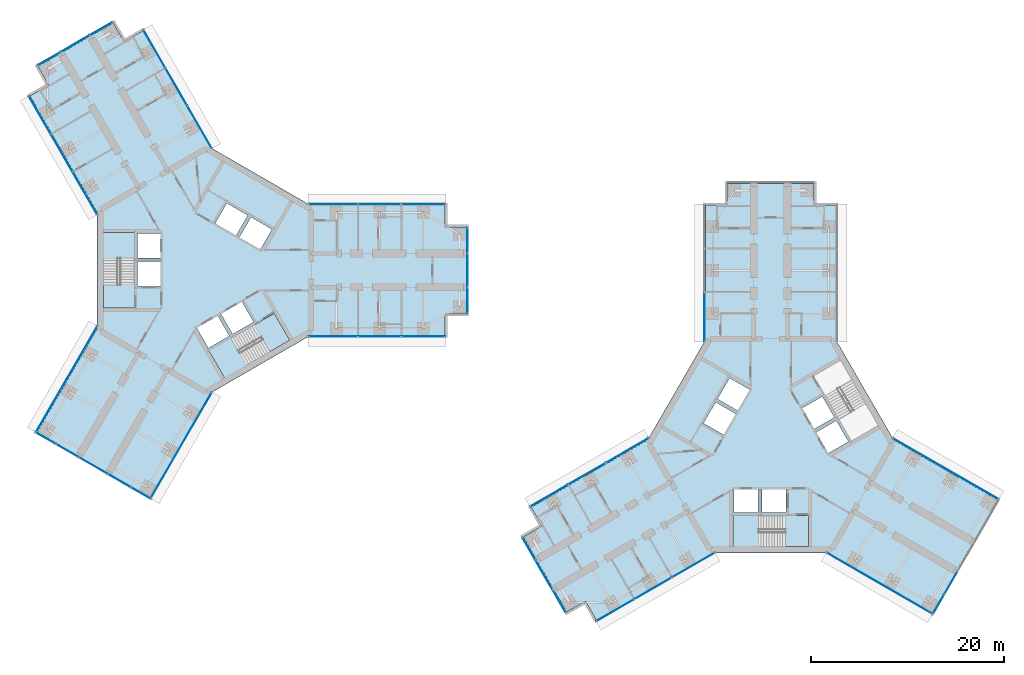
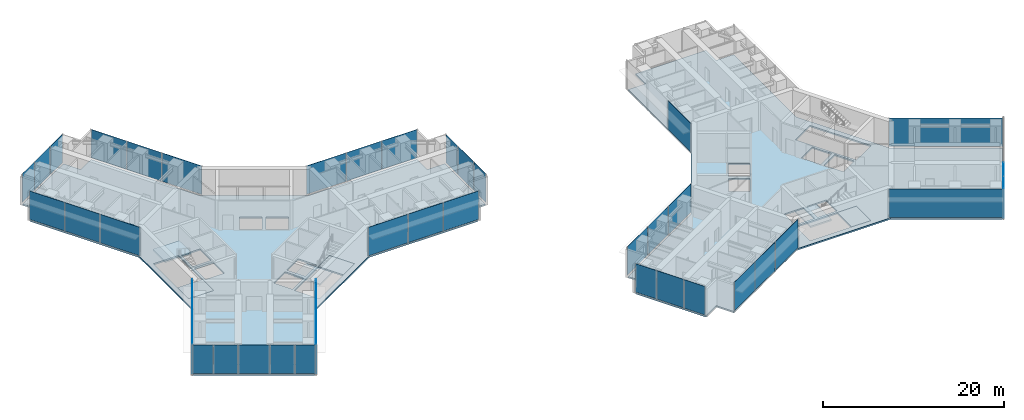
# One storey, part 13 of 22: 39 plates, 8 slabs, 19 elements without a shape of their own.
"""IFC4 building model written with IfcOpenShell, lengths in metres."""

from ifc_helpers import new_model, si_unit, direction, frame, origin, origin_2d, place, context, subcontext, project, spatial, polyline, rectangle, outline, extrude, material, layer, layer_set, type_object, element, aggregate, save


model = new_model("IFC4")

# Units and contexts
model_context = context("Model", 3, precision=1e-05, world=origin(), true_north=direction((0.0, 1.0)))
body_context = subcontext(model_context, "Body", "Model", "MODEL_VIEW")
ifc_project = project(units=[si_unit("LENGTHUNIT", "METRE"), si_unit("AREAUNIT", "SQUARE_METRE"), si_unit("VOLUMEUNIT", "CUBIC_METRE"), si_unit("PLANEANGLEUNIT", "RADIAN"), si_unit("MASSUNIT", "GRAM", prefix="KILO")], contexts=[model_context])

# Site, building, storey
site_placement = place(None, origin())
site = spatial("IfcSite", under=ifc_project, at=site_placement, CompositionType="ELEMENT")
building_placement = place(site_placement, origin())
building = spatial("IfcBuilding", under=site, at=building_placement, Name="Upepo Twin Towers", CompositionType="ELEMENT")
storey_placement = place(building_placement, frame((0.0, 0.0, 141.5)))
storey = spatial("IfcBuildingStorey", under=building, at=storey_placement, Name="L34", CompositionType="ELEMENT", Elevation=141.5)

# Curtain wall, plates
ifc_material_1 = material(Name="Aluminium and fritted glass", Category="aluminium")
curtain_wall_type = type_object("IfcCurtainWallType", Name="Tower curtain wall TW2, fritted glass", PredefinedType="NOTDEFINED", material=ifc_material_1)
curtain_wall_1_placement = place(storey_placement, origin())
curtain_wall_1 = element("IfcCurtainWall", 1, at=curtain_wall_1_placement, inside=storey, type_object=curtain_wall_type, Name="T1 L34 wing A flank L curtain wall", PredefinedType="NOTDEFINED")
ifc_material_2 = material(Name="Ceramic-fritted laminated glass", Category="glass")
ifc_layer_1 = layer(ifc_material_2, 0.031982421875)
ifc_layer_set_1 = layer_set([ifc_layer_1], Name="Fritted glass panel, 40 per cent dot frit, 32 mm double glazed")
plate_type_1 = type_object("IfcPlateType", Name="Fritted glass panel, 40 per cent dot frit, 32 mm double glazed", PredefinedType="CURTAIN_PANEL", material=ifc_layer_set_1)
plate_1_placement = place(storey_placement, frame((13.184814453125, 6.85009765625, 0.14990234375), z_axis=(0.0, 0.0, 1.0), x_axis=(1.0, 0.0, 0.0)))
plate_1 = element("IfcPlate", 2, at=plate_1_placement, type_object=plate_type_1, Name="T1 L34 wing A flank L curtain wall panel 1", PredefinedType="CURTAIN_PANEL", context=body_context, shape_type="SweptSolid", body=[
    extrude(rectangle(XDim=5.0654296875, YDim=0.031982421875, at=origin_2d()), origin(), (0.0, 0.0, 1.0), 3.85009765625),
])
plate_2_placement = place(storey_placement, frame((18.0, 6.85009765625, 0.14990234375), z_axis=(0.0, 0.0, 1.0), x_axis=(1.0, 0.0, 0.0)))
plate_2 = element("IfcPlate", 3, at=plate_2_placement, type_object=plate_type_1, Name="T1 L34 wing A flank L curtain wall panel 2", PredefinedType="CURTAIN_PANEL", context=body_context, shape_type="SweptSolid", body=[
    extrude(rectangle(XDim=4.43505859375, YDim=0.031982421875, at=origin_2d()), origin(), (0.0, 0.0, 1.0), 3.85009765625),
])
plate_3_placement = place(storey_placement, frame((22.53369140625, 6.85009765625, 0.14990234375), z_axis=(0.0, 0.0, 1.0), x_axis=(1.0, 0.0, 0.0)))
plate_3 = element("IfcPlate", 4, at=plate_3_placement, type_object=plate_type_1, Name="T1 L34 wing A flank L curtain wall panel 3", PredefinedType="CURTAIN_PANEL", context=body_context, shape_type="SweptSolid", body=[
    extrude(rectangle(XDim=4.50244140625, YDim=0.031982421875, at=origin_2d()), origin(), (0.0, 0.0, 1.0), 3.85009765625),
])
aggregate(curtain_wall_1, [plate_1, plate_2, plate_3])

curtain_wall_2_placement = place(storey_placement, origin())
curtain_wall_2 = element("IfcCurtainWall", 5, at=curtain_wall_2_placement, inside=storey, type_object=curtain_wall_type, Name="T1 L34 wing A flank R curtain wall", PredefinedType="NOTDEFINED")
plate_4_placement = place(storey_placement, frame((22.53369140625, -6.85009765625, 0.14990234375), z_axis=(0.0, 0.0, 1.0), x_axis=(-1.0, 0.0, 0.0)))
plate_4 = element("IfcPlate", 6, at=plate_4_placement, type_object=plate_type_1, Name="T1 L34 wing A flank R curtain wall panel 1", PredefinedType="CURTAIN_PANEL", context=body_context, shape_type="SweptSolid", body=[
    extrude(rectangle(XDim=4.50244140625, YDim=0.031982421875, at=origin_2d()), origin(), (0.0, 0.0, 1.0), 3.85009765625),
])
plate_5_placement = place(storey_placement, frame((18.0, -6.85009765625, 0.14990234375), z_axis=(0.0, 0.0, 1.0), x_axis=(-1.0, 0.0, 0.0)))
plate_5 = element("IfcPlate", 7, at=plate_5_placement, type_object=plate_type_1, Name="T1 L34 wing A flank R curtain wall panel 2", PredefinedType="CURTAIN_PANEL", context=body_context, shape_type="SweptSolid", body=[
    extrude(rectangle(XDim=4.43505859375, YDim=0.031982421875, at=origin_2d()), origin(), (0.0, 0.0, 1.0), 3.85009765625),
])
plate_6_placement = place(storey_placement, frame((13.184814453125, -6.85009765625, 0.14990234375), z_axis=(0.0, 0.0, 1.0), x_axis=(-1.0, 0.0, 0.0)))
plate_6 = element("IfcPlate", 8, at=plate_6_placement, type_object=plate_type_1, Name="T1 L34 wing A flank R curtain wall panel 3", PredefinedType="CURTAIN_PANEL", context=body_context, shape_type="SweptSolid", body=[
    extrude(rectangle(XDim=5.0654296875, YDim=0.031982421875, at=origin_2d()), origin(), (0.0, 0.0, 1.0), 3.85009765625),
])
aggregate(curtain_wall_2, [plate_4, plate_5, plate_6])

# Curtain wall, plate
curtain_wall_3_placement = place(storey_placement, origin())
curtain_wall_3 = element("IfcCurtainWall", 9, at=curtain_wall_3_placement, inside=storey, type_object=curtain_wall_type, Name="T1 L34 wing A nose curtain wall", PredefinedType="NOTDEFINED")
plate_7_placement = place(storey_placement, frame((27.10009765625, 0.0, 0.14990234375), z_axis=(0.0, 0.0, 1.0), x_axis=(0.0, 1.0, 0.0)))
plate_7 = element("IfcPlate", 10, at=plate_7_placement, type_object=plate_type_1, Name="T1 L34 wing A nose curtain wall panel 2", PredefinedType="CURTAIN_PANEL", context=body_context, shape_type="SweptSolid", body=[
    extrude(rectangle(XDim=3.43505859375, YDim=0.031982421875, at=origin_2d()), origin(), (0.0, 0.0, 1.0), 3.85009765625),
])

# Curtain wall, plates
curtain_wall_4_placement = place(storey_placement, origin())
curtain_wall_4 = element("IfcCurtainWall", 11, at=curtain_wall_4_placement, inside=storey, type_object=curtain_wall_type, Name="T1 L34 wing B flank L curtain wall", PredefinedType="NOTDEFINED")
plate_8_placement = place(storey_placement, frame((-12.524658203125, 7.993408203125, 0.14990234375), z_axis=(0.0, 0.0, 1.0), x_axis=(-0.500000010308, 0.866025397833, 0.0)))
plate_8 = element("IfcPlate", 12, at=plate_8_placement, type_object=plate_type_1, Name="T1 L34 wing B flank L curtain wall panel 1", PredefinedType="CURTAIN_PANEL", context=body_context, shape_type="SweptSolid", body=[
    extrude(rectangle(XDim=5.0654296875, YDim=0.031982421875, at=origin_2d()), origin(), (0.0, 0.0, 1.0), 3.85009765625),
])
plate_9_placement = place(storey_placement, frame((-14.932373046875, 12.16357421875, 0.14990234375), z_axis=(0.0, 0.0, 1.0), x_axis=(-0.500000010308, 0.866025397833, 0.0)))
plate_9 = element("IfcPlate", 13, at=plate_9_placement, type_object=plate_type_1, Name="T1 L34 wing B flank L curtain wall panel 2", PredefinedType="CURTAIN_PANEL", context=body_context, shape_type="SweptSolid", body=[
    extrude(rectangle(XDim=4.43505859375, YDim=0.031982421875, at=origin_2d()), origin(), (0.0, 0.0, 1.0), 3.85009765625),
])
plate_10_placement = place(storey_placement, frame((-17.19921875, 16.08984375, 0.14990234375), z_axis=(0.0, 0.0, 1.0), x_axis=(-0.500000010308, 0.866025397833, 0.0)))
plate_10 = element("IfcPlate", 14, at=plate_10_placement, type_object=plate_type_1, Name="T1 L34 wing B flank L curtain wall panel 3", PredefinedType="CURTAIN_PANEL", context=body_context, shape_type="SweptSolid", body=[
    extrude(rectangle(XDim=4.50244140625, YDim=0.031982421875, at=origin_2d()), origin(), (0.0, 0.0, 1.0), 3.85009765625),
])
aggregate(curtain_wall_4, [plate_8, plate_9, plate_10])

curtain_wall_5_placement = place(storey_placement, origin())
curtain_wall_5 = element("IfcCurtainWall", 15, at=curtain_wall_5_placement, inside=storey, type_object=curtain_wall_type, Name="T1 L34 wing B flank R curtain wall", PredefinedType="NOTDEFINED")
plate_11_placement = place(storey_placement, frame((-5.334716796875, 22.939697265625, 0.14990234375), z_axis=(0.0, 0.0, 1.0), x_axis=(0.500000010308, -0.866025397833, 0.0)))
plate_11 = element("IfcPlate", 16, at=plate_11_placement, type_object=plate_type_1, Name="T1 L34 wing B flank R curtain wall panel 1", PredefinedType="CURTAIN_PANEL", context=body_context, shape_type="SweptSolid", body=[
    extrude(rectangle(XDim=4.50244140625, YDim=0.031982421875, at=origin_2d()), origin(), (0.0, 0.0, 1.0), 3.85009765625),
])
plate_12_placement = place(storey_placement, frame((-3.067626953125, 19.013427734375, 0.14990234375), z_axis=(0.0, 0.0, 1.0), x_axis=(0.500000010308, -0.866025397833, 0.0)))
plate_12 = element("IfcPlate", 17, at=plate_12_placement, type_object=plate_type_1, Name="T1 L34 wing B flank R curtain wall panel 2", PredefinedType="CURTAIN_PANEL", context=body_context, shape_type="SweptSolid", body=[
    extrude(rectangle(XDim=4.43505859375, YDim=0.031982421875, at=origin_2d()), origin(), (0.0, 0.0, 1.0), 3.85009765625),
])
plate_13_placement = place(storey_placement, frame((-0.66015625, 14.84326171875, 0.14990234375), z_axis=(0.0, 0.0, 1.0), x_axis=(0.500000010308, -0.866025397833, 0.0)))
plate_13 = element("IfcPlate", 18, at=plate_13_placement, type_object=plate_type_1, Name="T1 L34 wing B flank R curtain wall panel 3", PredefinedType="CURTAIN_PANEL", context=body_context, shape_type="SweptSolid", body=[
    extrude(rectangle(XDim=5.0654296875, YDim=0.031982421875, at=origin_2d()), origin(), (0.0, 0.0, 1.0), 3.85009765625),
])
aggregate(curtain_wall_5, [plate_11, plate_12, plate_13])

# Curtain wall, plate
curtain_wall_6_placement = place(storey_placement, origin())
curtain_wall_6 = element("IfcCurtainWall", 19, at=curtain_wall_6_placement, inside=storey, type_object=curtain_wall_type, Name="T1 L34 wing B nose curtain wall", PredefinedType="NOTDEFINED")
plate_14_placement = place(storey_placement, frame((-13.550048828125, 23.46923828125, 0.14990234375), z_axis=(0.0, 0.0, 1.0), x_axis=(-0.866025386174, -0.500000030502, 0.0)))
plate_14 = element("IfcPlate", 20, at=plate_14_placement, type_object=plate_type_1, Name="T1 L34 wing B nose curtain wall panel 2", PredefinedType="CURTAIN_PANEL", context=body_context, shape_type="SweptSolid", body=[
    extrude(rectangle(XDim=3.43505859375, YDim=0.031982421875, at=origin_2d()), origin(), (0.0, 0.0, 1.0), 3.85009765625),
])

curtain_wall_7_placement = place(storey_placement, origin())
curtain_wall_7 = element("IfcCurtainWall", 21, at=curtain_wall_7_placement, inside=storey, type_object=curtain_wall_type, Name="T1 L34 wing C flank L curtain wall", PredefinedType="NOTDEFINED")
plate_15_placement = place(storey_placement, frame((-2.552001953125, -18.1201171875, 0.14990234375), z_axis=(0.0, 0.0, 1.0), x_axis=(-0.50000000792, -0.866025399212, 0.0)))
plate_15 = element("IfcPlate", 22, at=plate_15_placement, type_object=plate_type_1, Name="T1 L34 wing C flank L curtain wall panel 1", PredefinedType="CURTAIN_PANEL", context=body_context, shape_type="SweptSolid", body=[
    extrude(rectangle(XDim=12.6328125, YDim=0.031982421875, at=origin_2d()), origin(), (0.0, 0.0, 1.0), 3.85009765625),
])
aggregate(curtain_wall_7, [plate_15])

curtain_wall_8_placement = place(storey_placement, origin())
curtain_wall_8 = element("IfcCurtainWall", 23, at=curtain_wall_8_placement, inside=storey, type_object=curtain_wall_type, Name="T1 L34 wing C flank R curtain wall", PredefinedType="NOTDEFINED")
plate_16_placement = place(storey_placement, frame((-14.41650390625, -11.270263671875, 0.14990234375), z_axis=(0.0, 0.0, 1.0), x_axis=(0.50000000792, 0.866025399212, 0.0)))
plate_16 = element("IfcPlate", 24, at=plate_16_placement, type_object=plate_type_1, Name="T1 L34 wing C flank R curtain wall panel 1", PredefinedType="CURTAIN_PANEL", context=body_context, shape_type="SweptSolid", body=[
    extrude(rectangle(XDim=12.6328125, YDim=0.031982421875, at=origin_2d()), origin(), (0.0, 0.0, 1.0), 3.85009765625),
])
aggregate(curtain_wall_8, [plate_16])

# Curtain wall, plates
curtain_wall_9_placement = place(storey_placement, origin())
curtain_wall_9 = element("IfcCurtainWall", 25, at=curtain_wall_9_placement, inside=storey, type_object=curtain_wall_type, Name="T1 L34 wing C nose curtain wall", PredefinedType="NOTDEFINED")
plate_17_placement = place(storey_placement, frame((-14.38134765625, -18.6591796875, 0.14990234375), z_axis=(0.0, 0.0, 1.0), x_axis=(0.866025419745, -0.499999972355, 0.0)))
plate_17 = element("IfcPlate", 26, at=plate_17_placement, type_object=plate_type_1, Name="T1 L34 wing C nose curtain wall panel 2", PredefinedType="CURTAIN_PANEL", context=body_context, shape_type="SweptSolid", body=[
    extrude(rectangle(XDim=2.68505859375, YDim=0.031982421875, at=origin_2d()), origin(), (0.0, 0.0, 1.0), 3.85009765625),
])
plate_18_placement = place(storey_placement, frame((-11.675048828125, -20.2216796875, 0.14990234375), z_axis=(0.0, 0.0, 1.0), x_axis=(0.866025419745, -0.499999972355, 0.0)))
plate_18 = element("IfcPlate", 27, at=plate_18_placement, type_object=plate_type_1, Name="T1 L34 wing C nose curtain wall panel 3", PredefinedType="CURTAIN_PANEL", context=body_context, shape_type="SweptSolid", body=[
    extrude(rectangle(XDim=3.43505859375, YDim=0.031982421875, at=origin_2d()), origin(), (0.0, 0.0, 1.0), 3.85009765625),
])
plate_19_placement = place(storey_placement, frame((-8.96875, -21.7841796875, 0.14990234375), z_axis=(0.0, 0.0, 1.0), x_axis=(0.866025419745, -0.499999972355, 0.0)))
plate_19 = element("IfcPlate", 28, at=plate_19_placement, type_object=plate_type_1, Name="T1 L34 wing C nose curtain wall panel 4", PredefinedType="CURTAIN_PANEL", context=body_context, shape_type="SweptSolid", body=[
    extrude(rectangle(XDim=2.68505859375, YDim=0.031982421875, at=origin_2d()), origin(), (0.0, 0.0, 1.0), 3.85009765625),
])

# Curtain wall, plate
curtain_wall_10_placement = place(storey_placement, origin())
curtain_wall_10 = element("IfcCurtainWall", 29, at=curtain_wall_10_placement, inside=storey, type_object=curtain_wall_type, Name="T2 L34 wing A flank L curtain wall", PredefinedType="NOTDEFINED")
plate_20_placement = place(storey_placement, frame((51.64990234375, -4.815185546875, 0.14990234375), z_axis=(0.0, 0.0, 1.0), x_axis=(0.0, 1.0, 0.0)))
plate_20 = element("IfcPlate", 30, at=plate_20_placement, type_object=plate_type_1, Name="T2 L34 wing A flank L curtain wall panel 1", PredefinedType="CURTAIN_PANEL", context=body_context, shape_type="SweptSolid", body=[
    extrude(rectangle(XDim=5.0654296875, YDim=0.031982421875, at=origin_2d()), origin(), (0.0, 0.0, 1.0), 3.85009765625),
])
aggregate(curtain_wall_10, [plate_20])

# Curtain wall, plates
curtain_wall_11_placement = place(storey_placement, origin())
curtain_wall_11 = element("IfcCurtainWall", 31, at=curtain_wall_11_placement, inside=storey, type_object=curtain_wall_type, Name="T2 L34 wing B flank L curtain wall", PredefinedType="NOTDEFINED")
plate_21_placement = place(storey_placement, frame((50.506591796875, -30.524658203125, 0.14990234375), z_axis=(0.0, 0.0, 1.0), x_axis=(-0.866025397833, -0.500000010308, 0.0)))
plate_21 = element("IfcPlate", 32, at=plate_21_placement, type_object=plate_type_1, Name="T2 L34 wing B flank L curtain wall panel 1", PredefinedType="CURTAIN_PANEL", context=body_context, shape_type="SweptSolid", body=[
    extrude(rectangle(XDim=5.0654296875, YDim=0.031982421875, at=origin_2d()), origin(), (0.0, 0.0, 1.0), 3.85009765625),
])
plate_22_placement = place(storey_placement, frame((46.33642578125, -32.932373046875, 0.14990234375), z_axis=(0.0, 0.0, 1.0), x_axis=(-0.866025397833, -0.500000010308, 0.0)))
plate_22 = element("IfcPlate", 33, at=plate_22_placement, type_object=plate_type_1, Name="T2 L34 wing B flank L curtain wall panel 2", PredefinedType="CURTAIN_PANEL", context=body_context, shape_type="SweptSolid", body=[
    extrude(rectangle(XDim=4.43505859375, YDim=0.031982421875, at=origin_2d()), origin(), (0.0, 0.0, 1.0), 3.85009765625),
])
plate_23_placement = place(storey_placement, frame((42.41015625, -35.19921875, 0.14990234375), z_axis=(0.0, 0.0, 1.0), x_axis=(-0.866025397833, -0.500000010308, 0.0)))
plate_23 = element("IfcPlate", 34, at=plate_23_placement, type_object=plate_type_1, Name="T2 L34 wing B flank L curtain wall panel 3", PredefinedType="CURTAIN_PANEL", context=body_context, shape_type="SweptSolid", body=[
    extrude(rectangle(XDim=4.50244140625, YDim=0.031982421875, at=origin_2d()), origin(), (0.0, 0.0, 1.0), 3.85009765625),
])
aggregate(curtain_wall_11, [plate_21, plate_22, plate_23])

curtain_wall_12_placement = place(storey_placement, origin())
curtain_wall_12 = element("IfcCurtainWall", 35, at=curtain_wall_12_placement, inside=storey, type_object=curtain_wall_type, Name="T2 L34 wing B flank R curtain wall", PredefinedType="NOTDEFINED")
plate_24_placement = place(storey_placement, frame((35.560302734375, -23.334716796875, 0.14990234375), z_axis=(0.0, 0.0, 1.0), x_axis=(0.866025397833, 0.500000010308, 0.0)))
plate_24 = element("IfcPlate", 36, at=plate_24_placement, type_object=plate_type_1, Name="T2 L34 wing B flank R curtain wall panel 1", PredefinedType="CURTAIN_PANEL", context=body_context, shape_type="SweptSolid", body=[
    extrude(rectangle(XDim=4.50244140625, YDim=0.031982421875, at=origin_2d()), origin(), (0.0, 0.0, 1.0), 3.85009765625),
])
plate_25_placement = place(storey_placement, frame((39.486572265625, -21.067626953125, 0.14990234375), z_axis=(0.0, 0.0, 1.0), x_axis=(0.866025397833, 0.500000010308, 0.0)))
plate_25 = element("IfcPlate", 37, at=plate_25_placement, type_object=plate_type_1, Name="T2 L34 wing B flank R curtain wall panel 2", PredefinedType="CURTAIN_PANEL", context=body_context, shape_type="SweptSolid", body=[
    extrude(rectangle(XDim=4.43505859375, YDim=0.031982421875, at=origin_2d()), origin(), (0.0, 0.0, 1.0), 3.85009765625),
])
plate_26_placement = place(storey_placement, frame((43.65673828125, -18.66015625, 0.14990234375), z_axis=(0.0, 0.0, 1.0), x_axis=(0.866025397833, 0.500000010308, 0.0)))
plate_26 = element("IfcPlate", 38, at=plate_26_placement, type_object=plate_type_1, Name="T2 L34 wing B flank R curtain wall panel 3", PredefinedType="CURTAIN_PANEL", context=body_context, shape_type="SweptSolid", body=[
    extrude(rectangle(XDim=5.0654296875, YDim=0.031982421875, at=origin_2d()), origin(), (0.0, 0.0, 1.0), 3.85009765625),
])
aggregate(curtain_wall_12, [plate_24, plate_25, plate_26])

# Curtain wall, plate
curtain_wall_13_placement = place(storey_placement, origin())
curtain_wall_13 = element("IfcCurtainWall", 39, at=curtain_wall_13_placement, inside=storey, type_object=curtain_wall_type, Name="T2 L34 wing B nose curtain wall", PredefinedType="NOTDEFINED")
plate_27_placement = place(storey_placement, frame((35.03076171875, -31.550048828125, 0.14990234375), z_axis=(0.0, 0.0, 1.0), x_axis=(0.500000030502, -0.866025386174, 0.0)))
plate_27 = element("IfcPlate", 40, at=plate_27_placement, type_object=plate_type_1, Name="T2 L34 wing B nose curtain wall panel 2", PredefinedType="CURTAIN_PANEL", context=body_context, shape_type="SweptSolid", body=[
    extrude(rectangle(XDim=3.43505859375, YDim=0.031982421875, at=origin_2d()), origin(), (0.0, 0.0, 1.0), 3.85009765625),
])

curtain_wall_14_placement = place(storey_placement, origin())
curtain_wall_14 = element("IfcCurtainWall", 41, at=curtain_wall_14_placement, inside=storey, type_object=curtain_wall_type, Name="T2 L34 wing C flank L curtain wall", PredefinedType="NOTDEFINED")
plate_28_placement = place(storey_placement, frame((76.6201171875, -20.552001953125, 0.14990234375), z_axis=(0.0, 0.0, 1.0), x_axis=(0.866025399212, -0.50000000792, 0.0)))
plate_28 = element("IfcPlate", 42, at=plate_28_placement, type_object=plate_type_1, Name="T2 L34 wing C flank L curtain wall panel 1", PredefinedType="CURTAIN_PANEL", context=body_context, shape_type="SweptSolid", body=[
    extrude(rectangle(XDim=12.6328125, YDim=0.031982421875, at=origin_2d()), origin(), (0.0, 0.0, 1.0), 3.85009765625),
])
aggregate(curtain_wall_14, [plate_28])

curtain_wall_15_placement = place(storey_placement, origin())
curtain_wall_15 = element("IfcCurtainWall", 43, at=curtain_wall_15_placement, inside=storey, type_object=curtain_wall_type, Name="T2 L34 wing C flank R curtain wall", PredefinedType="NOTDEFINED")
plate_29_placement = place(storey_placement, frame((69.770263671875, -32.41650390625, 0.14990234375), z_axis=(0.0, 0.0, 1.0), x_axis=(-0.866025399212, 0.50000000792, 0.0)))
plate_29 = element("IfcPlate", 44, at=plate_29_placement, type_object=plate_type_1, Name="T2 L34 wing C flank R curtain wall panel 1", PredefinedType="CURTAIN_PANEL", context=body_context, shape_type="SweptSolid", body=[
    extrude(rectangle(XDim=12.6328125, YDim=0.031982421875, at=origin_2d()), origin(), (0.0, 0.0, 1.0), 3.85009765625),
])
aggregate(curtain_wall_15, [plate_29])

curtain_wall_16_placement = place(storey_placement, origin())
curtain_wall_16 = element("IfcCurtainWall", 45, at=curtain_wall_16_placement, inside=storey, type_object=curtain_wall_type, Name="T2 L34 wing C nose curtain wall", PredefinedType="NOTDEFINED")
plate_30_placement = place(storey_placement, frame((77.1591796875, -32.38134765625, 0.14990234375), z_axis=(0.0, 0.0, 1.0), x_axis=(0.499999972355, 0.866025419745, 0.0)))
plate_30 = element("IfcPlate", 46, at=plate_30_placement, type_object=plate_type_1, Name="T2 L34 wing C nose curtain wall panel 2", PredefinedType="CURTAIN_PANEL", context=body_context, shape_type="SweptSolid", body=[
    extrude(rectangle(XDim=2.68505859375, YDim=0.031982421875, at=origin_2d()), origin(), (0.0, 0.0, 1.0), 3.85009765625),
])

# Plate
ifc_material_3 = material(Name="Clear laminated glass in opening sash", Category="glass")
ifc_layer_2 = layer(ifc_material_3, 0.031982421875)
ifc_layer_set_2 = layer_set([ifc_layer_2], Name="Operable glass panel, 32 mm double glazed")
plate_type_2 = type_object("IfcPlateType", Name="Operable glass panel, 32 mm double glazed", PredefinedType="CURTAIN_PANEL", material=ifc_layer_set_2)
plate_31_placement = place(storey_placement, frame((27.10009765625, -3.108642578125, 0.14990234375), z_axis=(0.0, 0.0, 1.0), x_axis=(0.0, 1.0, 0.0)))
plate_31 = element("IfcPlate", 47, at=plate_31_placement, type_object=plate_type_2, Name="T1 L34 wing A nose curtain wall panel 1", PredefinedType="CURTAIN_PANEL", context=body_context, shape_type="SweptSolid", body=[
    extrude(rectangle(XDim=2.652587890625, YDim=0.031982421875, at=origin_2d()), origin(), (0.0, 0.0, 1.0), 3.85009765625),
])

plate_32_placement = place(storey_placement, frame((27.10009765625, 3.108642578125, 0.14990234375), z_axis=(0.0, 0.0, 1.0), x_axis=(0.0, 1.0, 0.0)))
plate_32 = element("IfcPlate", 48, at=plate_32_placement, type_object=plate_type_2, Name="T1 L34 wing A nose curtain wall panel 3", PredefinedType="CURTAIN_PANEL", context=body_context, shape_type="SweptSolid", body=[
    extrude(rectangle(XDim=2.652587890625, YDim=0.031982421875, at=origin_2d()), origin(), (0.0, 0.0, 1.0), 3.85009765625),
])

aggregate(curtain_wall_3, [plate_31, plate_7, plate_32])

plate_33_placement = place(storey_placement, frame((-10.857666015625, 25.023681640625, 0.14990234375), z_axis=(0.0, 0.0, 1.0), x_axis=(-0.866025386174, -0.500000030502, 0.0)))
plate_33 = element("IfcPlate", 49, at=plate_33_placement, type_object=plate_type_2, Name="T1 L34 wing B nose curtain wall panel 1", PredefinedType="CURTAIN_PANEL", context=body_context, shape_type="SweptSolid", body=[
    extrude(rectangle(XDim=2.652587890625, YDim=0.031982421875, at=origin_2d()), origin(), (0.0, 0.0, 1.0), 3.85009765625),
])

plate_34_placement = place(storey_placement, frame((-16.2421875, 21.914794921875, 0.14990234375), z_axis=(0.0, 0.0, 1.0), x_axis=(-0.866025386174, -0.500000030502, 0.0)))
plate_34 = element("IfcPlate", 50, at=plate_34_placement, type_object=plate_type_2, Name="T1 L34 wing B nose curtain wall panel 3", PredefinedType="CURTAIN_PANEL", context=body_context, shape_type="SweptSolid", body=[
    extrude(rectangle(XDim=2.652587890625, YDim=0.031982421875, at=origin_2d()), origin(), (0.0, 0.0, 1.0), 3.85009765625),
])

aggregate(curtain_wall_6, [plate_33, plate_14, plate_34])

plate_35_placement = place(storey_placement, frame((-16.618896484375, -17.367431640625, 0.14990234375), z_axis=(0.0, 0.0, 1.0), x_axis=(0.866025419745, -0.499999972355, 0.0)))
plate_35 = element("IfcPlate", 51, at=plate_35_placement, type_object=plate_type_2, Name="T1 L34 wing C nose curtain wall panel 1", PredefinedType="CURTAIN_PANEL", context=body_context, shape_type="SweptSolid", body=[
    extrude(rectangle(XDim=2.3525390625, YDim=0.031982421875, at=origin_2d()), origin(), (0.0, 0.0, 1.0), 3.85009765625),
])

plate_36_placement = place(storey_placement, frame((-6.73095703125, -23.076171875, 0.14990234375), z_axis=(0.0, 0.0, 1.0), x_axis=(0.866025419745, -0.499999972355, 0.0)))
plate_36 = element("IfcPlate", 52, at=plate_36_placement, type_object=plate_type_2, Name="T1 L34 wing C nose curtain wall panel 5", PredefinedType="CURTAIN_PANEL", context=body_context, shape_type="SweptSolid", body=[
    extrude(rectangle(XDim=2.3525390625, YDim=0.031982421875, at=origin_2d()), origin(), (0.0, 0.0, 1.0), 3.85009765625),
])

aggregate(curtain_wall_9, [plate_35, plate_17, plate_18, plate_19, plate_36])

plate_37_placement = place(storey_placement, frame((33.476318359375, -28.857666015625, 0.14990234375), z_axis=(0.0, 0.0, 1.0), x_axis=(0.500000030502, -0.866025386174, 0.0)))
plate_37 = element("IfcPlate", 53, at=plate_37_placement, type_object=plate_type_2, Name="T2 L34 wing B nose curtain wall panel 1", PredefinedType="CURTAIN_PANEL", context=body_context, shape_type="SweptSolid", body=[
    extrude(rectangle(XDim=2.652587890625, YDim=0.031982421875, at=origin_2d()), origin(), (0.0, 0.0, 1.0), 3.85009765625),
])

plate_38_placement = place(storey_placement, frame((36.585205078125, -34.2421875, 0.14990234375), z_axis=(0.0, 0.0, 1.0), x_axis=(0.500000030502, -0.866025386174, 0.0)))
plate_38 = element("IfcPlate", 54, at=plate_38_placement, type_object=plate_type_2, Name="T2 L34 wing B nose curtain wall panel 3", PredefinedType="CURTAIN_PANEL", context=body_context, shape_type="SweptSolid", body=[
    extrude(rectangle(XDim=2.652587890625, YDim=0.031982421875, at=origin_2d()), origin(), (0.0, 0.0, 1.0), 3.85009765625),
])

aggregate(curtain_wall_13, [plate_37, plate_27, plate_38])

plate_39_placement = place(storey_placement, frame((75.867431640625, -34.618896484375, 0.14990234375), z_axis=(0.0, 0.0, 1.0), x_axis=(0.499999972355, 0.866025419745, 0.0)))
plate_39 = element("IfcPlate", 55, at=plate_39_placement, type_object=plate_type_2, Name="T2 L34 wing C nose curtain wall panel 1", PredefinedType="CURTAIN_PANEL", context=body_context, shape_type="SweptSolid", body=[
    extrude(rectangle(XDim=2.3525390625, YDim=0.031982421875, at=origin_2d()), origin(), (0.0, 0.0, 1.0), 3.85009765625),
])

aggregate(curtain_wall_16, [plate_39, plate_30])

# Stair, slabs
ifc_material_4 = material(Name="Concrete C40/50", Category="concrete")
stair_type = type_object("IfcStairType", Name="Core stair, two flights", PredefinedType="HALF_TURN_STAIR", material=ifc_material_4)
stair_1_placement = place(storey_placement, origin())
stair_1 = element("IfcStair", 56, at=stair_1_placement, inside=storey, type_object=stair_type, Name="T1 stair S1 L34", PredefinedType="HALF_TURN_STAIR")
ifc_material_5 = material(Name="Concrete C40/50", Category="concrete")
ifc_layer_3 = layer(ifc_material_5, 0.199951171875)
ifc_layer_set_3 = layer_set([ifc_layer_3], Name="Concrete C40/50")
slab_type_1 = type_object("IfcSlabType", Name="Stair landing 200 RC", PredefinedType="LANDING", material=ifc_layer_set_3)
slab_1_placement = place(storey_placement, frame((0.0, 0.0, -0.199951171875)))
slab_1 = element("IfcSlab", 57, at=slab_1_placement, type_object=slab_type_1, Name="Stair S1 landing 1", PredefinedType="LANDING", context=body_context, shape_type="SweptSolid", body=[
    extrude(outline(polyline([(-7.39990234375, -1.419921875), (-10.6083984375, -1.419921875), (-10.6083984375, -3.89990234375), (-7.39990234375, -3.89990234375), (-7.39990234375, -1.419921875)])), origin(), (0.0, 0.0, 1.0), 0.199951171875),
])
slab_2_placement = place(storey_placement, frame((0.0, 0.0, 1.800048828125)))
slab_2 = element("IfcSlab", 58, at=slab_2_placement, type_object=slab_type_1, Name="Stair S1 landing 2", PredefinedType="LANDING", context=body_context, shape_type="SweptSolid", body=[
    extrude(outline(polyline([(-7.300048828125, 3.89990234375), (-10.708251953125, 3.89990234375), (-10.708251953125, 1.179931640625), (-7.300048828125, 1.179931640625), (-7.300048828125, 3.89990234375)])), origin(), (0.0, 0.0, 1.0), 0.199951171875),
])
aggregate(stair_1, [slab_1, slab_2])

stair_2_placement = place(storey_placement, origin())
stair_2 = element("IfcStair", 59, at=stair_2_placement, inside=storey, type_object=stair_type, Name="T1 stair S2 L34", PredefinedType="HALF_TURN_STAIR")
slab_3_placement = place(storey_placement, frame((0.0, 0.0, -0.199951171875)))
slab_3 = element("IfcSlab", 60, at=slab_3_placement, type_object=slab_type_1, Name="Stair S2 landing 1", PredefinedType="LANDING", context=body_context, shape_type="SweptSolid", body=[
    extrude(outline(polyline([(4.9296875, -5.698486328125), (6.533935546875, -8.47705078125), (8.681640625, -7.237060546875), (7.077392578125, -4.45849609375), (4.9296875, -5.698486328125)])), origin(), (0.0, 0.0, 1.0), 0.199951171875),
])
slab_4_placement = place(storey_placement, frame((0.0, 0.0, 1.800048828125)))
slab_4 = element("IfcSlab", 61, at=slab_4_placement, type_object=slab_type_1, Name="Stair S2 landing 2", PredefinedType="LANDING", context=body_context, shape_type="SweptSolid", body=[
    extrude(outline(polyline([(0.2724609375, -8.27197265625), (1.9765625, -11.2236328125), (4.332275390625, -9.86376953125), (2.628173828125, -6.911865234375), (0.2724609375, -8.27197265625)])), origin(), (0.0, 0.0, 1.0), 0.199951171875),
])
aggregate(stair_2, [slab_3, slab_4])

stair_3_placement = place(storey_placement, origin())
stair_3 = element("IfcStair", 62, at=stair_3_placement, inside=storey, type_object=stair_type, Name="T2 stair S1 L34", PredefinedType="HALF_TURN_STAIR")
slab_5_placement = place(storey_placement, frame((0.0, 0.0, -0.199951171875)))
slab_5 = element("IfcSlab", 63, at=slab_5_placement, type_object=slab_type_1, Name="Stair S1 landing 1", PredefinedType="LANDING", context=body_context, shape_type="SweptSolid", body=[
    extrude(outline(polyline([(59.919921875, -25.39990234375), (59.919921875, -28.6083984375), (62.39990234375, -28.6083984375), (62.39990234375, -25.39990234375), (59.919921875, -25.39990234375)])), origin(), (0.0, 0.0, 1.0), 0.199951171875),
])
slab_6_placement = place(storey_placement, frame((0.0, 0.0, 1.800048828125)))
slab_6 = element("IfcSlab", 64, at=slab_6_placement, type_object=slab_type_1, Name="Stair S1 landing 2", PredefinedType="LANDING", context=body_context, shape_type="SweptSolid", body=[
    extrude(outline(polyline([(54.60009765625, -25.300048828125), (54.60009765625, -28.708251953125), (57.320068359375, -28.708251953125), (57.320068359375, -25.300048828125), (54.60009765625, -25.300048828125)])), origin(), (0.0, 0.0, 1.0), 0.199951171875),
])
aggregate(stair_3, [slab_5, slab_6])

# Slabs
ifc_material_6 = material(Name="Concrete C40/50", Category="concrete")
ifc_layer_4 = layer(ifc_material_6, 0.199951171875)
ifc_layer_set_4 = layer_set([ifc_layer_4], Name="Concrete C40/50")
slab_type_2 = type_object("IfcSlabType", Name="Tower floor slab 200 RC", PredefinedType="FLOOR", material=ifc_layer_set_4)
slab_7_placement = place(storey_placement, frame((0.0, 0.0, -0.199951171875)))
element("IfcSlab", 65, at=slab_7_placement, inside=storey, type_object=slab_type_2, Name="T1 L34 floor slab", PredefinedType="FLOOR", context=body_context, shape_type="SweptSolid", body=[
    extrude(outline(polyline([(-17.470703125, -16.760009765625), (-11.25830078125, -6.0), (-11.25830078125, 6.0), (-18.220703125, 18.05908203125), (-16.272216796875, 19.18408203125), (-17.397216796875, 21.132568359375), (-9.602783203125, 25.632568359375), (-8.477783203125, 23.68408203125), (-6.529296875, 24.80908203125), (0.43310546875, 12.75), (10.825439453125, 6.75), (24.75, 6.75), (24.75, 4.5), (27.0, 4.5), (27.0, -4.5), (24.75, -4.5), (24.75, -6.75), (10.825439453125, -6.75), (0.43310546875, -12.75), (-5.779296875, -23.510009765625), (-17.470703125, -16.760009765625)]), holes=[polyline([(5.640869140625, 2.17041015625), (6.8408203125, 4.248779296875), (4.67578125, 5.498779296875), (3.475830078125, 3.42041015625), (5.640869140625, 2.17041015625)]), polyline([(3.12939453125, 3.620361328125), (4.329345703125, 5.69873046875), (2.164306640625, 6.94873046875), (0.96435546875, 4.870361328125), (3.12939453125, 3.620361328125)]), polyline([(-4.699951171875, 3.800048828125), (-7.10009765625, 3.800048828125), (-7.10009765625, 1.300048828125), (-4.699951171875, 1.300048828125), (-4.699951171875, 3.800048828125)]), polyline([(-4.699951171875, 0.89990234375), (-7.10009765625, 0.89990234375), (-7.10009765625, -1.60009765625), (-4.699951171875, -1.60009765625), (-4.699951171875, 0.89990234375)]), polyline([(-7.39990234375, 3.89990234375), (-10.6083984375, 3.89990234375), (-10.6083984375, -3.89990234375), (-7.39990234375, -3.89990234375), (-7.39990234375, 3.89990234375)]), polyline([(-0.94091796875, -5.97021484375), (0.259033203125, -8.048828125), (2.424072265625, -6.798828125), (1.22412109375, -4.72021484375), (-0.94091796875, -5.97021484375)]), polyline([(1.570556640625, -4.520263671875), (2.7705078125, -6.598876953125), (4.935546875, -5.348876953125), (3.735595703125, -3.270263671875), (1.570556640625, -4.520263671875)]), polyline([(0.322509765625, -8.358642578125), (1.9267578125, -11.136962890625), (8.681640625, -7.237060546875), (7.077392578125, -4.45849609375), (0.322509765625, -8.358642578125)])]), origin(), (0.0, 0.0, 1.0), 0.199951171875),
])
slab_8_placement = place(storey_placement, frame((0.0, 0.0, -0.199951171875)))
element("IfcSlab", 66, at=slab_8_placement, inside=storey, type_object=slab_type_2, Name="T2 L34 floor slab", PredefinedType="FLOOR", context=body_context, shape_type="SweptSolid", body=[
    extrude(outline(polyline([(75.260009765625, -35.470703125), (64.5, -29.25830078125), (52.5, -29.25830078125), (40.44091796875, -36.220703125), (39.31591796875, -34.272216796875), (37.367431640625, -35.397216796875), (32.867431640625, -27.602783203125), (34.81591796875, -26.477783203125), (33.69091796875, -24.529296875), (45.75, -17.56689453125), (51.75, -7.174560546875), (51.75, 6.75), (54.0, 6.75), (54.0, 9.0), (63.0, 9.0), (63.0, 6.75), (65.25, 6.75), (65.25, -7.174560546875), (71.25, -17.56689453125), (82.010009765625, -23.779296875), (75.260009765625, -35.470703125)]), holes=[polyline([(56.32958984375, -12.359130859375), (54.251220703125, -11.1591796875), (53.001220703125, -13.32421875), (55.07958984375, -14.524169921875), (56.32958984375, -12.359130859375)]), polyline([(54.879638671875, -14.87060546875), (52.80126953125, -13.670654296875), (51.55126953125, -15.835693359375), (53.629638671875, -17.03564453125), (54.879638671875, -14.87060546875)]), polyline([(54.699951171875, -22.699951171875), (54.699951171875, -25.10009765625), (57.199951171875, -25.10009765625), (57.199951171875, -22.699951171875), (54.699951171875, -22.699951171875)]), polyline([(57.60009765625, -22.699951171875), (57.60009765625, -25.10009765625), (60.10009765625, -25.10009765625), (60.10009765625, -22.699951171875), (57.60009765625, -22.699951171875)]), polyline([(54.60009765625, -25.39990234375), (54.60009765625, -28.6083984375), (62.39990234375, -28.6083984375), (62.39990234375, -25.39990234375), (54.60009765625, -25.39990234375)]), polyline([(64.47021484375, -18.94091796875), (66.548828125, -17.740966796875), (65.298828125, -15.575927734375), (63.22021484375, -16.77587890625), (64.47021484375, -18.94091796875)]), polyline([(63.020263671875, -16.429443359375), (65.098876953125, -15.2294921875), (63.848876953125, -13.064453125), (61.770263671875, -14.264404296875), (63.020263671875, -16.429443359375)]), polyline([(66.858642578125, -17.677490234375), (69.636962890625, -16.0732421875), (65.737060546875, -9.318359375), (62.95849609375, -10.922607421875), (66.858642578125, -17.677490234375)])]), origin(), (0.0, 0.0, 1.0), 0.199951171875),
])

save(model, "model.ifc")
